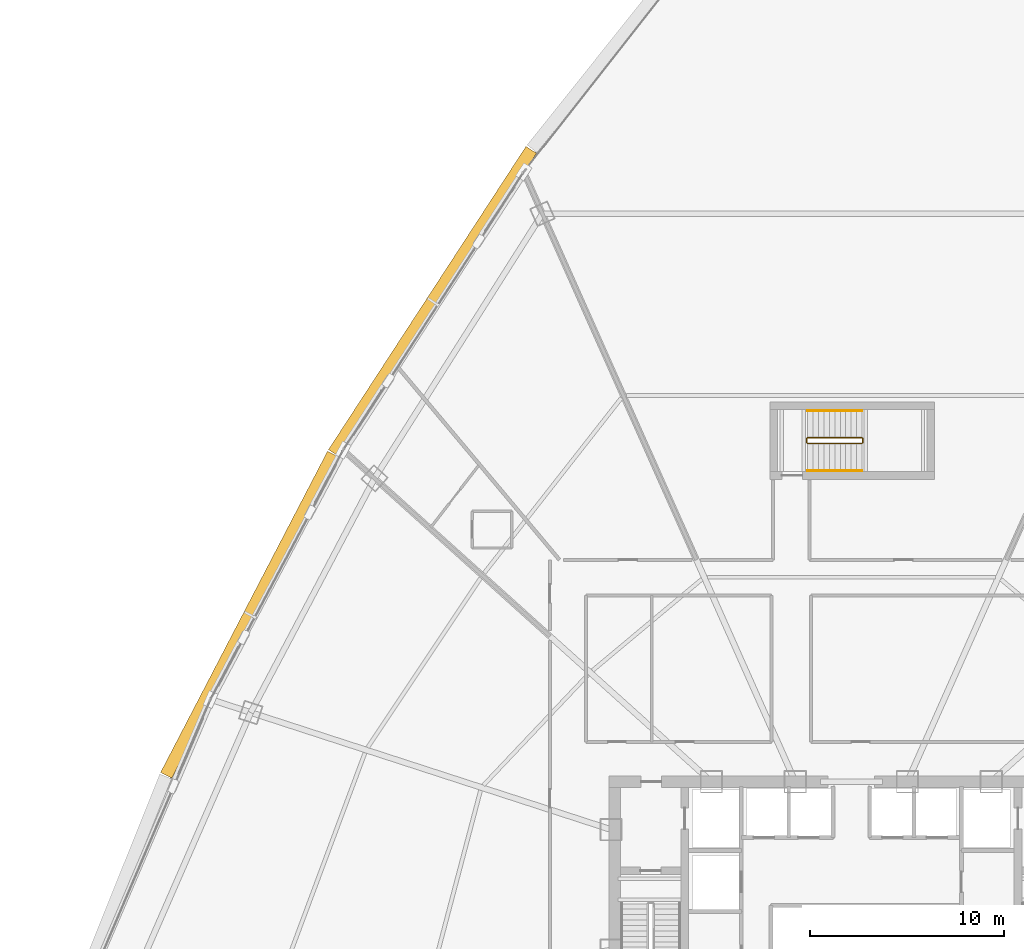
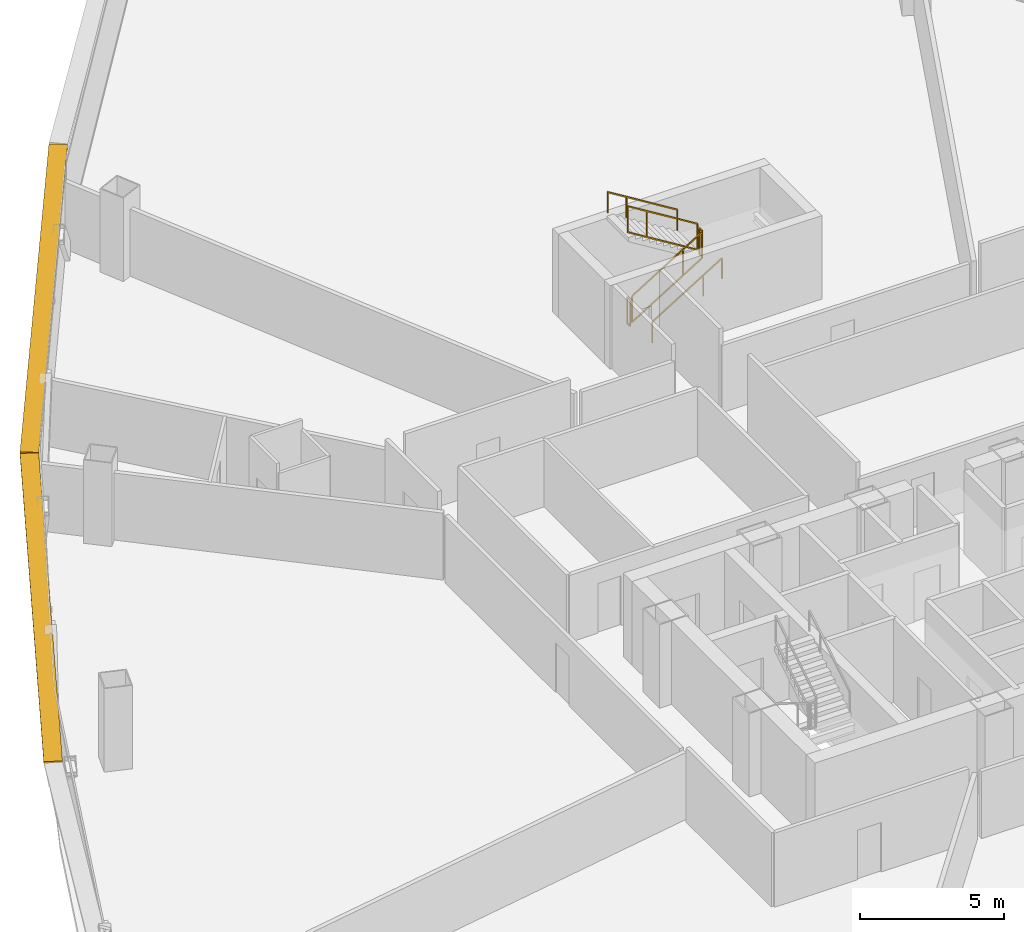
# One storey, part 37 of 38: 6 railings, 2 shading devices.
"""IFC4 building model written with IfcOpenShell, lengths in metres."""

from ifc_helpers import new_model, si_unit, direction, frame, origin, origin_2d, place, context, subcontext, project, spatial, rectangle, extrude, source, transform, mapped, material, layer, layer_set, type_object, element, save


model = new_model("IFC4")

# Units and contexts
model_context = context("Model", 3, precision=1e-05, world=origin(), true_north=direction((0.0, 1.0)))
body_context = subcontext(model_context, "Body", "Model", "MODEL_VIEW")
ifc_project = project(units=[si_unit("LENGTHUNIT", "METRE"), si_unit("AREAUNIT", "SQUARE_METRE"), si_unit("VOLUMEUNIT", "CUBIC_METRE"), si_unit("PLANEANGLEUNIT", "RADIAN"), si_unit("MASSUNIT", "GRAM", prefix="KILO"), si_unit("THERMODYNAMICTEMPERATUREUNIT", "KELVIN"), si_unit("POWERUNIT", "WATT")], contexts=[model_context])

# Site, building, storey
site_placement = place(None, origin())
site = spatial("IfcSite", under=ifc_project, at=site_placement, CompositionType="ELEMENT")
building_placement = place(site_placement, origin())
building = spatial("IfcBuilding", under=site, at=building_placement, Name="Yunzhuo Pagoda Commons", CompositionType="ELEMENT")
storey_placement = place(building_placement, frame((0.0, 0.0, 81.179931640625)))
storey = spatial("IfcBuildingStorey", under=building, at=storey_placement, Name="L20", CompositionType="ELEMENT", Elevation=81.179931640625)

# Railings
ifc_material = material(Name="Anodized aluminium 6063-T6", Category="aluminium")
railing_type_1 = type_object("IfcRailingType", Name="GR-ST3 North Well Guardrail 1155", PredefinedType="GUARDRAIL", material=ifc_material)
railing_1_placement = place(storey_placement, frame((45.75, 57.64990234375, 0.1728515625)))
element("IfcRailing", 1, at=railing_1_placement, inside=storey, type_object=railing_type_1, Name="L20 ST3 stair guard 1", PredefinedType="GUARDRAIL", context=body_context, shape_type="SweptSolid", body=[
    extrude(rectangle(XDim=0.048095703125, YDim=0.048095703125, at=origin_2d()), frame((0.0, 0.0, 1.1259765625), z_axis=(0.851089632645, 0.0, 0.525020415988), x_axis=(0.0, 1.0, 0.0)), (0.0, 0.0, 1.0), 3.2900390625),
    extrude(rectangle(XDim=0.048095703125, YDim=0.048095703125, at=origin_2d()), frame((0.0, 0.0, 0.02392578125), z_axis=(0.851089632645, 0.0, 0.525020415988), x_axis=(0.0, 1.0, 0.0)), (0.0, 0.0, 1.0), 3.2900390625),
    extrude(rectangle(XDim=0.0419921875, YDim=0.0419921875, at=origin_2d()), origin(), (0.0, 0.0, 1.0), 1.101806640625),
    extrude(rectangle(XDim=0.0419921875, YDim=0.0419921875, at=origin_2d()), frame((2.042724609375, 0.0, 1.260009765625)), (0.0, 0.0, 1.0), 1.101806640625),
    extrude(rectangle(XDim=0.0419921875, YDim=0.0419921875, at=origin_2d()), frame((2.800048828125, 0.0, 1.727294921875)), (0.0, 0.0, 1.0), 1.101806640625),
])
railing_2_placement = place(storey_placement, frame((48.60009765625, 57.699951171875, 1.900146484375)))
element("IfcRailing", 2, at=railing_2_placement, inside=storey, type_object=railing_type_1, Name="L20 ST3 stair guard 2", PredefinedType="GUARDRAIL", context=body_context, shape_type="SweptSolid", body=[
    extrude(rectangle(XDim=0.048095703125, YDim=0.048095703125, at=origin_2d()), frame((0.0, 0.0, 1.1259765625), z_axis=(0.0, 1.0, 0.0), x_axis=(-1.0, 0.0, 0.0)), (0.0, 0.0, 1.0), 0.199951171875),
    extrude(rectangle(XDim=0.048095703125, YDim=0.048095703125, at=origin_2d()), frame((0.0, 0.0, 0.02392578125), z_axis=(0.0, 1.0, 0.0), x_axis=(-1.0, 0.0, 0.0)), (0.0, 0.0, 1.0), 0.199951171875),
    extrude(rectangle(XDim=0.0419921875, YDim=0.0419921875, at=origin_2d()), origin(), (0.0, 0.0, 1.0), 1.101806640625),
    extrude(rectangle(XDim=0.0419921875, YDim=0.0419921875, at=origin_2d()), frame((0.0, 0.199951171875, 0.0)), (0.0, 0.0, 1.0), 1.101806640625),
])
railing_3_placement = place(storey_placement, frame((48.550048828125, 57.949951171875, 2.07275390625)))
element("IfcRailing", 3, at=railing_3_placement, inside=storey, type_object=railing_type_1, Name="L20 ST3 stair guard 3", PredefinedType="GUARDRAIL", context=body_context, shape_type="SweptSolid", body=[
    extrude(rectangle(XDim=0.048095703125, YDim=0.048095703125, at=origin_2d()), frame((0.0, 0.0, 1.1259765625), z_axis=(-0.851089632645, 0.0, 0.525020415988), x_axis=(0.0, -1.0, 0.0)), (0.0, 0.0, 1.0), 3.2900390625),
    extrude(rectangle(XDim=0.048095703125, YDim=0.048095703125, at=origin_2d()), frame((0.0, 0.0, 0.02392578125), z_axis=(-0.851089632645, 0.0, 0.525020415988), x_axis=(0.0, -1.0, 0.0)), (0.0, 0.0, 1.0), 3.2900390625),
    extrude(rectangle(XDim=0.0419921875, YDim=0.0419921875, at=origin_2d()), origin(), (0.0, 0.0, 1.0), 1.101806640625),
    extrude(rectangle(XDim=0.0419921875, YDim=0.0419921875, at=origin_2d()), frame((-2.042724609375, 0.0, 1.260009765625)), (0.0, 0.0, 1.0), 1.101806640625),
    extrude(rectangle(XDim=0.0419921875, YDim=0.0419921875, at=origin_2d()), frame((-2.800048828125, 0.0, 1.727294921875)), (0.0, 0.0, 1.0), 1.101806640625),
])
railing_4_placement = place(storey_placement, frame((45.699951171875, 57.699951171875, 0.0)))
element("IfcRailing", 4, at=railing_4_placement, inside=storey, type_object=railing_type_1, Name="L20 ST3 stair guard 4", PredefinedType="GUARDRAIL", context=body_context, shape_type="SweptSolid", body=[
    extrude(rectangle(XDim=0.048095703125, YDim=0.048095703125, at=origin_2d()), frame((0.0, 0.0, 1.1259765625), z_axis=(0.0, 1.0, 0.0), x_axis=(-1.0, 0.0, 0.0)), (0.0, 0.0, 1.0), 0.199951171875),
    extrude(rectangle(XDim=0.048095703125, YDim=0.048095703125, at=origin_2d()), frame((0.0, 0.0, 0.02392578125), z_axis=(0.0, 1.0, 0.0), x_axis=(-1.0, 0.0, 0.0)), (0.0, 0.0, 1.0), 0.199951171875),
    extrude(rectangle(XDim=0.0419921875, YDim=0.0419921875, at=origin_2d()), origin(), (0.0, 0.0, 1.0), 1.101806640625),
    extrude(rectangle(XDim=0.0419921875, YDim=0.0419921875, at=origin_2d()), frame((0.0, 0.199951171875, 0.0)), (0.0, 0.0, 1.0), 1.101806640625),
])
railing_type_2 = type_object("IfcRailingType", Name="HR-ST3 North Stair Handrail 900", PredefinedType="HANDRAIL", material=ifc_material)
railing_5_placement = place(storey_placement, frame((45.75, 56.25, 0.1728515625)))
element("IfcRailing", 5, at=railing_5_placement, inside=storey, type_object=railing_type_2, Name="L20 ST3 stair handrail 1", PredefinedType="HANDRAIL", context=body_context, shape_type="SweptSolid", body=[
    extrude(rectangle(XDim=0.048095703125, YDim=0.048095703125, at=origin_2d()), frame((0.0, 0.0, 0.8759765625), z_axis=(0.851089632645, 0.0, 0.525020415988), x_axis=(0.0, 1.0, 0.0)), (0.0, 0.0, 1.0), 3.2900390625),
    extrude(rectangle(XDim=0.0419921875, YDim=0.0419921875, at=origin_2d()), origin(), (0.0, 0.0, 1.0), 0.851806640625),
    extrude(rectangle(XDim=0.0419921875, YDim=0.0419921875, at=origin_2d()), frame((2.042724609375, 0.0, 1.260009765625)), (0.0, 0.0, 1.0), 0.851806640625),
    extrude(rectangle(XDim=0.0419921875, YDim=0.0419921875, at=origin_2d()), frame((2.800048828125, 0.0, 1.727294921875)), (0.0, 0.0, 1.0), 0.851806640625),
])
railing_6_placement = place(storey_placement, frame((48.550048828125, 59.35009765625, 2.07275390625)))
element("IfcRailing", 6, at=railing_6_placement, inside=storey, type_object=railing_type_2, Name="L20 ST3 stair handrail 2", PredefinedType="HANDRAIL", context=body_context, shape_type="SweptSolid", body=[
    extrude(rectangle(XDim=0.048095703125, YDim=0.048095703125, at=origin_2d()), frame((0.0, 0.0, 0.8759765625), z_axis=(-0.851089632645, 0.0, 0.525020415988), x_axis=(0.0, -1.0, 0.0)), (0.0, 0.0, 1.0), 3.2900390625),
    extrude(rectangle(XDim=0.0419921875, YDim=0.0419921875, at=origin_2d()), origin(), (0.0, 0.0, 1.0), 0.851806640625),
    extrude(rectangle(XDim=0.0419921875, YDim=0.0419921875, at=origin_2d()), frame((-2.042724609375, 0.0, 1.260009765625)), (0.0, 0.0, 1.0), 0.851806640625),
    extrude(rectangle(XDim=0.0419921875, YDim=0.0419921875, at=origin_2d()), frame((-2.800048828125, 0.0, 1.727294921875)), (0.0, 0.0, 1.0), 0.851806640625),
])

# Shading devices
ifc_layer = layer(ifc_material, 0.080078125)
ifc_layer_set = layer_set([ifc_layer], Name="Anodized aluminium 6063-T6")
shading_device_type = type_object("IfcShadingDeviceType", Name="SH-SUN1 Pagoda Horizontal Sunshade Eave 650", PredefinedType="USERDEFINED", material=ifc_layer_set)
shared_shape = source(origin(), body_context, "Body", "SweptSolid", [
    extrude(rectangle(XDim=18.6767578125, YDim=0.64990234375, at=origin_2d()), origin(), (0.0, 0.0, 1.0), 0.080078125),
])
for number, where, z_axis, x_axis, name in (
    (7, (26.387451171875, 64.982177734375, 3.4599609375), (0.0, 0.0, 1.0), (-0.545838756973, -0.837890238269, 0.0), "L20 horizontal pagoda sunshade eave F3.2"),
    (8, (16.951171875, 48.81689453125, 3.4599609375), (0.0, 0.0, 1.0), (-0.461206683033, -0.88729273384, 0.0), "L20 horizontal pagoda sunshade eave F3.3"),
):
    element("IfcShadingDevice", number, at=place(storey_placement, frame(where, z_axis=z_axis, x_axis=x_axis)), inside=storey, type_object=shading_device_type, Name=name, ObjectType="SUNSHADE", PredefinedType="USERDEFINED", context=body_context, shape_type="MappedRepresentation", body=[
        mapped(shared_shape, transform((0.0, 0.0, 0.0), scale=1.0)),
    ])

save(model, "model.ifc")
